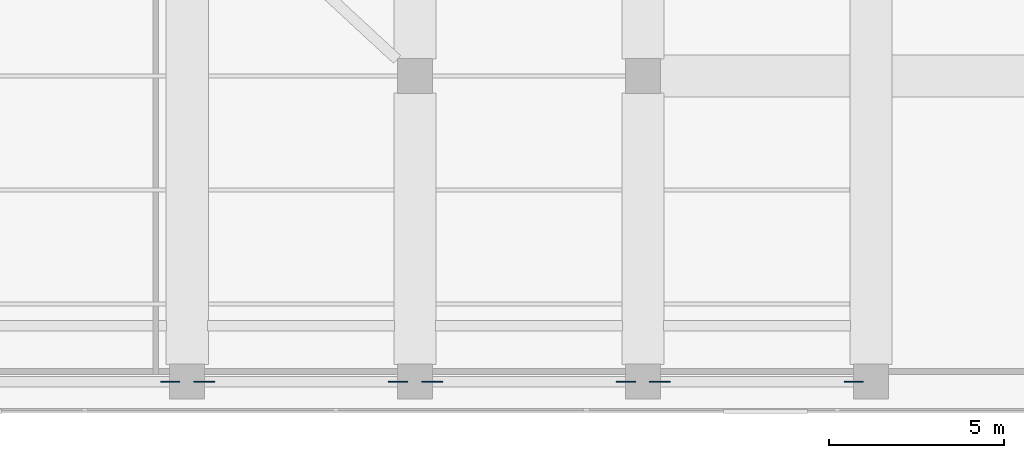
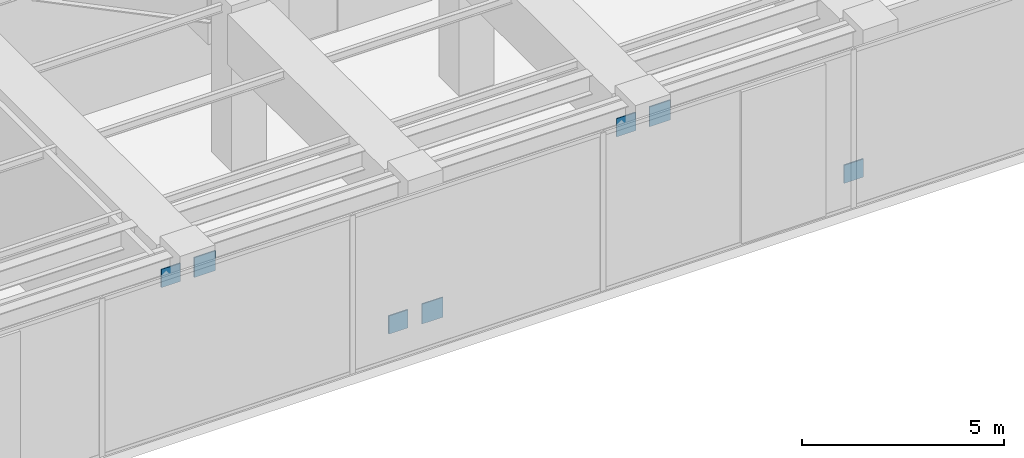
# One storey, part 19 of 28: 7 plates.
"""IFC4 building model written with IfcOpenShell, lengths in metres."""

from ifc_helpers import new_model, si_unit, direction, frame, origin, origin_2d, place, context, subcontext, project, spatial, rectangle, extrude, material, layer, layer_set, type_object, element, save


model = new_model("IFC4")

# Units and contexts
model_context = context("Model", 3, precision=1e-05, world=origin(), true_north=direction((0.0, 1.0)))
body_context = subcontext(model_context, "Body", "Model", "MODEL_VIEW")
ifc_project = project(units=[si_unit("LENGTHUNIT", "METRE"), si_unit("AREAUNIT", "SQUARE_METRE"), si_unit("VOLUMEUNIT", "CUBIC_METRE"), si_unit("PLANEANGLEUNIT", "RADIAN"), si_unit("MASSUNIT", "GRAM", prefix="KILO")], contexts=[model_context])

# Site, building, storey
site_placement = place(None, origin())
site = spatial("IfcSite", under=ifc_project, at=site_placement, CompositionType="ELEMENT")
building_placement = place(site_placement, origin())
building = spatial("IfcBuilding", under=site, at=building_placement, Name="Putna Gate Headquarters", CompositionType="ELEMENT")
storey_placement = place(building_placement, frame((0.0, 0.0, 197.39990234375)))
storey = spatial("IfcBuildingStorey", under=building, at=storey_placement, Name="L49", CompositionType="ELEMENT", Elevation=197.39990234375)

# Plates
ifc_material = material(Name="Steel S460M", Category="steel")
ifc_layer_1 = layer(ifc_material, 0.035888671875)
ifc_layer_set_1 = layer_set([ifc_layer_1], Name="Steel S460M")
plate_type_1 = type_object("IfcPlateType", Name="PLT-NODE-BN1", PredefinedType="SHEET", material=ifc_layer_set_1)
for number, where, z_axis, x_axis, name in (
    (1, (45.985107421875, 4.280029296875, 3.830078125), (0.0, 0.0, 1.0), (1.0, 0.0, 0.0), "L49 Belt Truss Node Gusset Plate S6-E1"),
    (2, (52.485107421875, 4.280029296875, 0.150146484375), (0.0, 0.0, 1.0), (1.0, 0.0, 0.0), "L49 Belt Truss Node Gusset Plate S7-E1"),
    (3, (58.985107421875, 4.280029296875, 3.830078125), (0.0, 0.0, 1.0), (1.0, 0.0, 0.0), "L49 Belt Truss Node Gusset Plate S8-E1"),
):
    element("IfcPlate", number, at=place(storey_placement, frame(where, z_axis=z_axis, x_axis=x_axis)), inside=storey, type_object=plate_type_1, Name=name, PredefinedType="SHEET", context=body_context, shape_type="SweptSolid", body=[
        extrude(rectangle(XDim=0.60009765625, YDim=0.035888671875, at=origin_2d()), origin(), (0.0, 0.0, 1.0), 0.60009765625),
    ])
ifc_layer_2 = layer(ifc_material, 0.035888671875)
ifc_layer_set_2 = layer_set([ifc_layer_2], Name="Steel S460M")
plate_type_2 = type_object("IfcPlateType", Name="PLT-NODE-BN2", PredefinedType="SHEET", material=ifc_layer_set_2)
for number, where, z_axis, x_axis, name in (
    (4, (45.014892578125, 4.280029296875, 3.85498046875), (0.0, 0.0, 1.0), (1.0, 0.0, 0.0), "L49 Belt Truss Node Gusset Plate S5-E2"),
    (5, (51.514892578125, 4.280029296875, 0.17529296875), (0.0, 0.0, 1.0), (1.0, 0.0, 0.0), "L49 Belt Truss Node Gusset Plate S6-E2"),
    (6, (58.014892578125, 4.280029296875, 3.85498046875), (0.0, 0.0, 1.0), (1.0, 0.0, 0.0), "L49 Belt Truss Node Gusset Plate S7-E2"),
    (7, (64.514892578125, 4.280029296875, 0.17529296875), (0.0, 0.0, 1.0), (1.0, 0.0, 0.0), "L49 Belt Truss Node Gusset Plate S8-E2"),
):
    element("IfcPlate", number, at=place(storey_placement, frame(where, z_axis=z_axis, x_axis=x_axis)), inside=storey, type_object=plate_type_2, Name=name, PredefinedType="SHEET", context=body_context, shape_type="SweptSolid", body=[
        extrude(rectangle(XDim=0.550048828125, YDim=0.035888671875, at=origin_2d()), origin(), (0.0, 0.0, 1.0), 0.550048828125),
    ])

save(model, "model.ifc")
